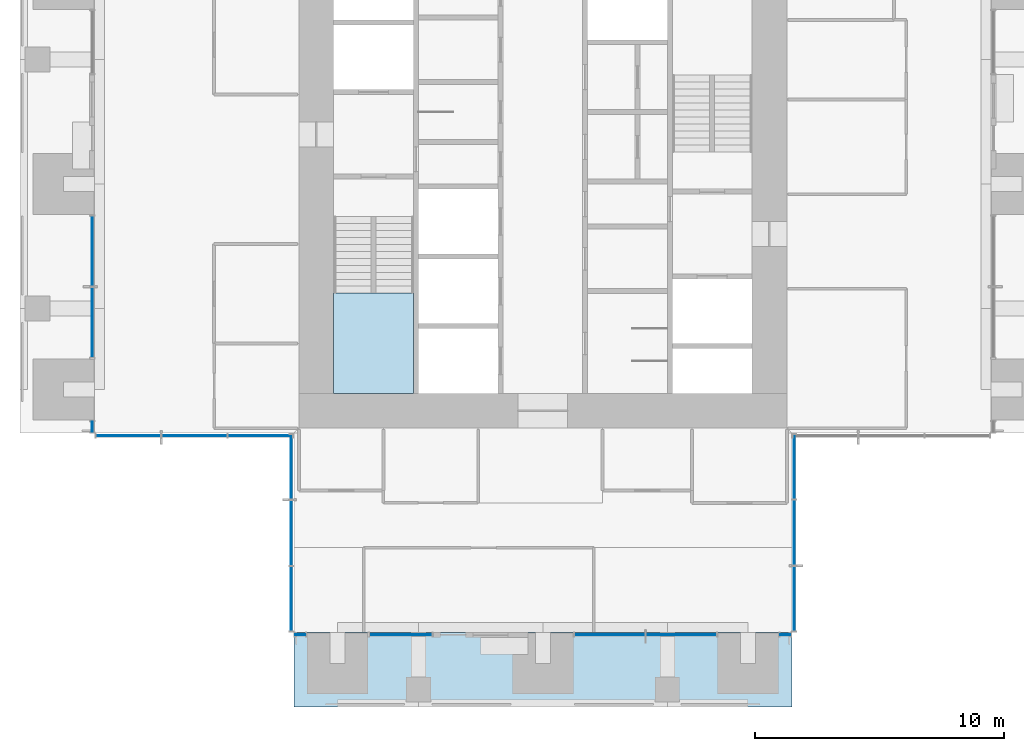
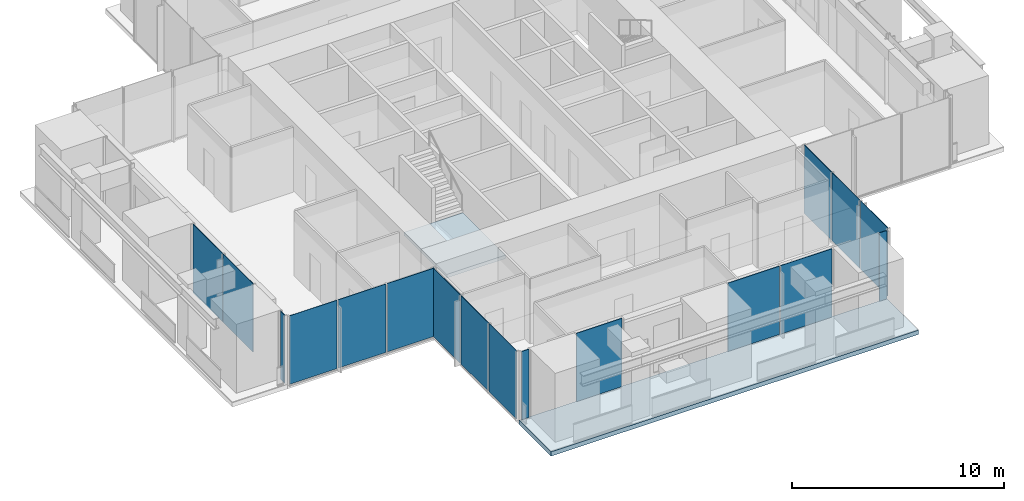
# One storey, part 7 of 17: 17 plates, 2 slabs, 10 elements without a shape of their own.
"""IFC4 building model written with IfcOpenShell, lengths in metres."""

from ifc_helpers import new_model, si_unit, direction, frame, origin, origin_2d, place, context, subcontext, project, spatial, polyline, rectangle, outline, extrude, material, layer, layer_set, type_object, element, aggregate, save


model = new_model("IFC4")

# Units and contexts
model_context = context("Model", 3, precision=1e-05, world=origin(), true_north=direction((0.0, 1.0)))
body_context = subcontext(model_context, "Body", "Model", "MODEL_VIEW")
ifc_project = project(units=[si_unit("LENGTHUNIT", "METRE"), si_unit("AREAUNIT", "SQUARE_METRE"), si_unit("VOLUMEUNIT", "CUBIC_METRE"), si_unit("PLANEANGLEUNIT", "RADIAN"), si_unit("MASSUNIT", "GRAM", prefix="KILO")], contexts=[model_context])

# Site, building, storey
site_placement = place(None, origin())
site = spatial("IfcSite", under=ifc_project, at=site_placement, CompositionType="ELEMENT")
building_placement = place(site_placement, origin())
building = spatial("IfcBuilding", under=site, at=building_placement, Name="Svetlomir Tower", CompositionType="ELEMENT")
storey_placement = place(building_placement, frame((0.0, 0.0, 190.5)))
storey = spatial("IfcBuildingStorey", under=building, at=storey_placement, Name="L45", CompositionType="ELEMENT", Elevation=190.5)

# Curtain wall, plate
ifc_material_1 = material(Name="Bronze anodised aluminium curtain wall", Category="aluminium")
curtain_wall_type = type_object("IfcCurtainWallType", Name="CURTAIN WALL CW1 TOWER OFFICE", PredefinedType="NOTDEFINED", material=ifc_material_1)
curtain_wall_1_placement = place(storey_placement, origin())
curtain_wall_1 = element("IfcCurtainWall", 1, at=curtain_wall_1_placement, inside=storey, type_object=curtain_wall_type, Name="Curtain wall CW1 L45", PredefinedType="NOTDEFINED")
ifc_material_2 = material(Name="Tinted double glazed unit", Category="glass")
ifc_layer_1 = layer(ifc_material_2, 0.031982421875)
ifc_layer_set_1 = layer_set([ifc_layer_1], Name="Tinted double glazed unit")
plate_type = type_object("IfcPlateType", Name="CW1 GLAZED PANEL 32", PredefinedType="CURTAIN_PANEL", material=ifc_layer_set_1)
plate_1_placement = place(storey_placement, frame((11.262451171875, 2.89990234375, 0.06494140625), z_axis=(0.0, 0.0, 1.0), x_axis=(1.0, 0.0, 0.0)))
plate_1 = element("IfcPlate", 2, at=plate_1_placement, type_object=plate_type, Name="CW1 panel 1.1", PredefinedType="CURTAIN_PANEL", context=body_context, shape_type="SweptSolid", body=[
    extrude(rectangle(XDim=0.39501953125, YDim=0.031982421875, at=origin_2d()), origin(), (0.0, 0.0, 1.0), 3.93505859375),
])
aggregate(curtain_wall_1, [plate_1])

curtain_wall_2_placement = place(storey_placement, origin())
curtain_wall_2 = element("IfcCurtainWall", 3, at=curtain_wall_2_placement, inside=storey, type_object=curtain_wall_type, Name="Curtain wall CW1 L45", PredefinedType="NOTDEFINED")
plate_2_placement = place(storey_placement, frame((15.28759765625, 2.89990234375, 0.06494140625), z_axis=(0.0, 0.0, 1.0), x_axis=(1.0, 0.0, 0.0)))
plate_2 = element("IfcPlate", 4, at=plate_2_placement, type_object=plate_type, Name="CW1 panel 1.1", PredefinedType="CURTAIN_PANEL", context=body_context, shape_type="SweptSolid", body=[
    extrude(rectangle(XDim=2.4951171875, YDim=0.031982421875, at=origin_2d()), origin(), (0.0, 0.0, 1.0), 3.93505859375),
])
aggregate(curtain_wall_2, [plate_2])

# Curtain wall, plates
curtain_wall_3_placement = place(storey_placement, origin())
curtain_wall_3 = element("IfcCurtainWall", 5, at=curtain_wall_3_placement, inside=storey, type_object=curtain_wall_type, Name="Curtain wall CW1 L45", PredefinedType="NOTDEFINED")
plate_3_placement = place(storey_placement, frame((23.691162109375, 2.89990234375, 0.06494140625), z_axis=(0.0, 0.0, 1.0), x_axis=(1.0, 0.0, 0.0)))
plate_3 = element("IfcPlate", 6, at=plate_3_placement, type_object=plate_type, Name="CW1 panel 1.1", PredefinedType="CURTAIN_PANEL", context=body_context, shape_type="SweptSolid", body=[
    extrude(rectangle(XDim=2.802490234375, YDim=0.031982421875, at=origin_2d()), origin(), (0.0, 0.0, 1.0), 3.93505859375),
])
plate_4_placement = place(storey_placement, frame((26.558837890625, 2.89990234375, 0.06494140625), z_axis=(0.0, 0.0, 1.0), x_axis=(1.0, 0.0, 0.0)))
plate_4 = element("IfcPlate", 7, at=plate_4_placement, type_object=plate_type, Name="CW1 panel 2.1", PredefinedType="CURTAIN_PANEL", context=body_context, shape_type="SweptSolid", body=[
    extrude(rectangle(XDim=2.802490234375, YDim=0.031982421875, at=origin_2d()), origin(), (0.0, 0.0, 1.0), 3.93505859375),
])
aggregate(curtain_wall_3, [plate_3, plate_4])

# Curtain wall, plate
curtain_wall_4_placement = place(storey_placement, origin())
curtain_wall_4 = element("IfcCurtainWall", 8, at=curtain_wall_4_placement, inside=storey, type_object=curtain_wall_type, Name="Curtain wall CW1 L45", PredefinedType="NOTDEFINED")
plate_5_placement = place(storey_placement, frame((30.737548828125, 2.89990234375, 0.06494140625), z_axis=(0.0, 0.0, 1.0), x_axis=(1.0, 0.0, 0.0)))
plate_5 = element("IfcPlate", 9, at=plate_5_placement, type_object=plate_type, Name="CW1 panel 1.1", PredefinedType="CURTAIN_PANEL", context=body_context, shape_type="SweptSolid", body=[
    extrude(rectangle(XDim=0.39501953125, YDim=0.031982421875, at=origin_2d()), origin(), (0.0, 0.0, 1.0), 3.93505859375),
])
aggregate(curtain_wall_4, [plate_5])

# Curtain wall, plates
curtain_wall_5_placement = place(storey_placement, origin())
curtain_wall_5 = element("IfcCurtainWall", 10, at=curtain_wall_5_placement, inside=storey, type_object=curtain_wall_type, Name="Curtain wall CW1 L45", PredefinedType="NOTDEFINED")
plate_6_placement = place(storey_placement, frame((31.10009765625, 4.349609375, 0.06494140625), z_axis=(0.0, 0.0, 1.0), x_axis=(0.0, 1.0, 0.0)))
plate_6 = element("IfcPlate", 11, at=plate_6_placement, type_object=plate_type, Name="CW1 panel 1.1", PredefinedType="CURTAIN_PANEL", context=body_context, shape_type="SweptSolid", body=[
    extrude(rectangle(XDim=2.569091796875, YDim=0.031982421875, at=origin_2d()), origin(), (0.0, 0.0, 1.0), 3.93505859375),
])
plate_7_placement = place(storey_placement, frame((31.10009765625, 7.0, 0.06494140625), z_axis=(0.0, 0.0, 1.0), x_axis=(0.0, 1.0, 0.0)))
plate_7 = element("IfcPlate", 12, at=plate_7_placement, type_object=plate_type, Name="CW1 panel 2.1", PredefinedType="CURTAIN_PANEL", context=body_context, shape_type="SweptSolid", body=[
    extrude(rectangle(XDim=2.6015625, YDim=0.031982421875, at=origin_2d()), origin(), (0.0, 0.0, 1.0), 3.93505859375),
])
plate_8_placement = place(storey_placement, frame((31.10009765625, 9.650390625, 0.06494140625), z_axis=(0.0, 0.0, 1.0), x_axis=(0.0, 1.0, 0.0)))
plate_8 = element("IfcPlate", 13, at=plate_8_placement, type_object=plate_type, Name="CW1 panel 3.1", PredefinedType="CURTAIN_PANEL", context=body_context, shape_type="SweptSolid", body=[
    extrude(rectangle(XDim=2.569091796875, YDim=0.031982421875, at=origin_2d()), origin(), (0.0, 0.0, 1.0), 3.93505859375),
])
aggregate(curtain_wall_5, [plate_6, plate_7, plate_8])

curtain_wall_6_placement = place(storey_placement, origin())
curtain_wall_6 = element("IfcCurtainWall", 14, at=curtain_wall_6_placement, inside=storey, type_object=curtain_wall_type, Name="Curtain wall CW1 L45", PredefinedType="NOTDEFINED")
plate_9_placement = place(storey_placement, frame((2.89990234375, 18.308837890625, 0.06494140625), z_axis=(0.0, 0.0, 1.0), x_axis=(0.0, -1.0, 0.0)))
plate_9 = element("IfcPlate", 15, at=plate_9_placement, type_object=plate_type, Name="CW1 panel 1.1", PredefinedType="CURTAIN_PANEL", context=body_context, shape_type="SweptSolid", body=[
    extrude(rectangle(XDim=2.802490234375, YDim=0.031982421875, at=origin_2d()), origin(), (0.0, 0.0, 1.0), 3.93505859375),
])
plate_10_placement = place(storey_placement, frame((2.89990234375, 15.441162109375, 0.06494140625), z_axis=(0.0, 0.0, 1.0), x_axis=(0.0, -1.0, 0.0)))
plate_10 = element("IfcPlate", 16, at=plate_10_placement, type_object=plate_type, Name="CW1 panel 2.1", PredefinedType="CURTAIN_PANEL", context=body_context, shape_type="SweptSolid", body=[
    extrude(rectangle(XDim=2.802490234375, YDim=0.031982421875, at=origin_2d()), origin(), (0.0, 0.0, 1.0), 3.93505859375),
])
aggregate(curtain_wall_6, [plate_9, plate_10])

# Curtain wall, plate
curtain_wall_7_placement = place(storey_placement, origin())
curtain_wall_7 = element("IfcCurtainWall", 17, at=curtain_wall_7_placement, inside=storey, type_object=curtain_wall_type, Name="Curtain wall CW1 L45", PredefinedType="NOTDEFINED")
plate_11_placement = place(storey_placement, frame((2.89990234375, 11.262451171875, 0.06494140625), z_axis=(0.0, 0.0, 1.0), x_axis=(0.0, -1.0, 0.0)))
plate_11 = element("IfcPlate", 18, at=plate_11_placement, type_object=plate_type, Name="CW1 panel 1.1", PredefinedType="CURTAIN_PANEL", context=body_context, shape_type="SweptSolid", body=[
    extrude(rectangle(XDim=0.39501953125, YDim=0.031982421875, at=origin_2d()), origin(), (0.0, 0.0, 1.0), 3.93505859375),
])
aggregate(curtain_wall_7, [plate_11])

# Curtain wall, plates
curtain_wall_8_placement = place(storey_placement, origin())
curtain_wall_8 = element("IfcCurtainWall", 19, at=curtain_wall_8_placement, inside=storey, type_object=curtain_wall_type, Name="Curtain wall CW1 L45", PredefinedType="NOTDEFINED")
plate_12_placement = place(storey_placement, frame((4.349609375, 10.89990234375, 0.06494140625), z_axis=(0.0, 0.0, 1.0), x_axis=(1.0, 0.0, 0.0)))
plate_12 = element("IfcPlate", 20, at=plate_12_placement, type_object=plate_type, Name="CW1 panel 1.1", PredefinedType="CURTAIN_PANEL", context=body_context, shape_type="SweptSolid", body=[
    extrude(rectangle(XDim=2.569091796875, YDim=0.031982421875, at=origin_2d()), origin(), (0.0, 0.0, 1.0), 3.93505859375),
])
plate_13_placement = place(storey_placement, frame((7.0, 10.89990234375, 0.06494140625), z_axis=(0.0, 0.0, 1.0), x_axis=(1.0, 0.0, 0.0)))
plate_13 = element("IfcPlate", 21, at=plate_13_placement, type_object=plate_type, Name="CW1 panel 2.1", PredefinedType="CURTAIN_PANEL", context=body_context, shape_type="SweptSolid", body=[
    extrude(rectangle(XDim=2.6015625, YDim=0.031982421875, at=origin_2d()), origin(), (0.0, 0.0, 1.0), 3.93505859375),
])
plate_14_placement = place(storey_placement, frame((9.650390625, 10.89990234375, 0.06494140625), z_axis=(0.0, 0.0, 1.0), x_axis=(1.0, 0.0, 0.0)))
plate_14 = element("IfcPlate", 22, at=plate_14_placement, type_object=plate_type, Name="CW1 panel 3.1", PredefinedType="CURTAIN_PANEL", context=body_context, shape_type="SweptSolid", body=[
    extrude(rectangle(XDim=2.569091796875, YDim=0.031982421875, at=origin_2d()), origin(), (0.0, 0.0, 1.0), 3.93505859375),
])
aggregate(curtain_wall_8, [plate_12, plate_13, plate_14])

curtain_wall_9_placement = place(storey_placement, origin())
curtain_wall_9 = element("IfcCurtainWall", 23, at=curtain_wall_9_placement, inside=storey, type_object=curtain_wall_type, Name="Curtain wall CW1 L45", PredefinedType="NOTDEFINED")
plate_15_placement = place(storey_placement, frame((10.89990234375, 9.650390625, 0.06494140625), z_axis=(0.0, 0.0, 1.0), x_axis=(0.0, -1.0, 0.0)))
plate_15 = element("IfcPlate", 24, at=plate_15_placement, type_object=plate_type, Name="CW1 panel 1.1", PredefinedType="CURTAIN_PANEL", context=body_context, shape_type="SweptSolid", body=[
    extrude(rectangle(XDim=2.569091796875, YDim=0.031982421875, at=origin_2d()), origin(), (0.0, 0.0, 1.0), 3.93505859375),
])
plate_16_placement = place(storey_placement, frame((10.89990234375, 7.0, 0.06494140625), z_axis=(0.0, 0.0, 1.0), x_axis=(0.0, -1.0, 0.0)))
plate_16 = element("IfcPlate", 25, at=plate_16_placement, type_object=plate_type, Name="CW1 panel 2.1", PredefinedType="CURTAIN_PANEL", context=body_context, shape_type="SweptSolid", body=[
    extrude(rectangle(XDim=2.6015625, YDim=0.031982421875, at=origin_2d()), origin(), (0.0, 0.0, 1.0), 3.93505859375),
])
plate_17_placement = place(storey_placement, frame((10.89990234375, 4.349609375, 0.06494140625), z_axis=(0.0, 0.0, 1.0), x_axis=(0.0, -1.0, 0.0)))
plate_17 = element("IfcPlate", 26, at=plate_17_placement, type_object=plate_type, Name="CW1 panel 3.1", PredefinedType="CURTAIN_PANEL", context=body_context, shape_type="SweptSolid", body=[
    extrude(rectangle(XDim=2.569091796875, YDim=0.031982421875, at=origin_2d()), origin(), (0.0, 0.0, 1.0), 3.93505859375),
])
aggregate(curtain_wall_9, [plate_15, plate_16, plate_17])

# Slab
ifc_material_3 = material(Name="Concrete C60/75", Category="concrete")
ifc_layer_2 = layer(ifc_material_3, 0.25)
ifc_layer_set_2 = layer_set([ifc_layer_2], Name="Concrete C60/75")
slab_type_1 = type_object("IfcSlabType", Name="PLANTED LOGGIA SLAB 250", PredefinedType="FLOOR", material=ifc_layer_set_2)
slab_1_placement = place(storey_placement, frame((0.0, 0.0, -0.25)))
element("IfcSlab", 27, at=slab_1_placement, inside=storey, type_object=slab_type_1, Name="L45 S planted loggia", PredefinedType="FLOOR", context=body_context, shape_type="SweptSolid", body=[
    extrude(outline(polyline([(11.0, 0.0), (31.0, 0.0), (31.0, 3.0), (11.0, 3.0), (11.0, 0.0)])), origin(), (0.0, 0.0, 1.0), 0.25),
])

# Stair, slab
ifc_material_4 = material(Name="Concrete C60/75", Category="concrete")
stair_type = type_object("IfcStairType", Name="EXIT STAIR 3200 RISE 4000", PredefinedType="HALF_TURN_STAIR", material=ifc_material_4)
stair_placement = place(storey_placement, origin())
stair = element("IfcStair", 28, at=stair_placement, inside=storey, type_object=stair_type, Name="Stair S1 L45 to L46", PredefinedType="HALF_TURN_STAIR")
ifc_material_5 = material(Name="Concrete C60/75", Category="concrete")
ifc_layer_3 = layer(ifc_material_5, 0.199951171875)
ifc_layer_set_3 = layer_set([ifc_layer_3], Name="Concrete C60/75")
slab_type_2 = type_object("IfcSlabType", Name="STAIR LANDING 200", PredefinedType="LANDING", material=ifc_layer_set_3)
slab_2_placement = place(storey_placement, frame((0.0, 0.0, 1.800048828125)))
slab_2 = element("IfcSlab", 29, at=slab_2_placement, type_object=slab_type_2, Name="S1 landing 1", PredefinedType="LANDING", context=body_context, shape_type="SweptSolid", body=[
    extrude(outline(polyline([(12.60009765625, 12.60009765625), (15.800048828125, 12.60009765625), (15.800048828125, 16.6201171875), (12.60009765625, 16.6201171875), (12.60009765625, 12.60009765625)])), origin(), (0.0, 0.0, 1.0), 0.199951171875),
])
aggregate(stair, [slab_2])

save(model, "model.ifc")
